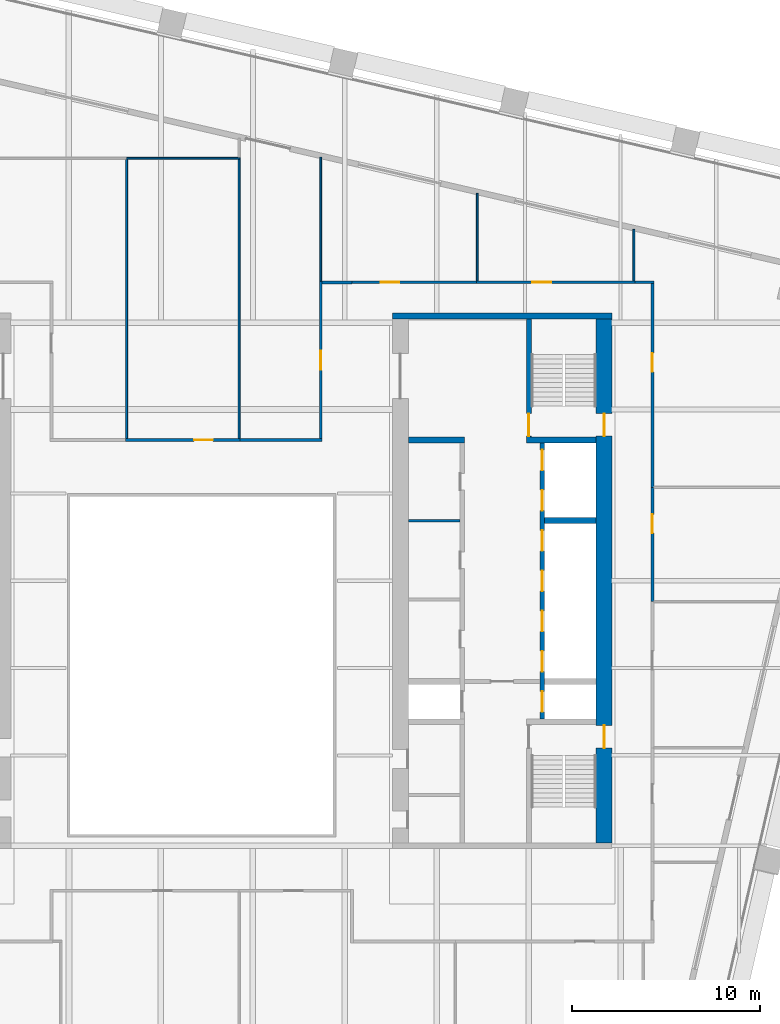
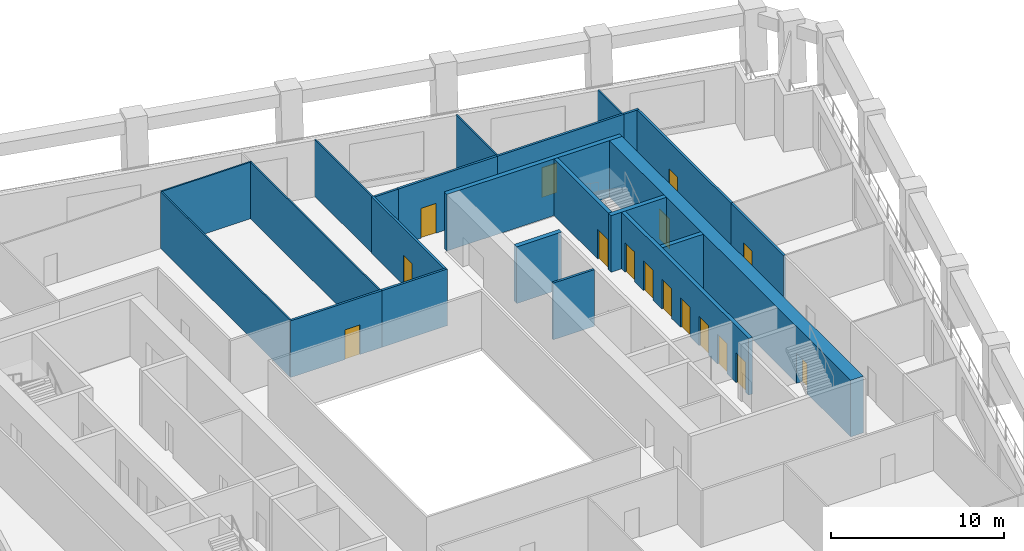
# One storey, part 7 of 9: 23 walls, 16 doors, 16 openings.
"""IFC4 building model written with IfcOpenShell, lengths in metres."""

from ifc_helpers import new_model, si_unit, direction, frame, frame_2d, origin, place, context, subcontext, project, spatial, rectangle, extrude, material, layer, layer_set, type_object, element, fill, save


model = new_model("IFC4")

# Units and contexts
model_context = context("Model", 3, precision=1e-05, world=origin(), true_north=direction((0.0, 1.0)))
body_context = subcontext(model_context, "Body", "Model", "MODEL_VIEW")
ifc_project = project(units=[si_unit("LENGTHUNIT", "METRE"), si_unit("AREAUNIT", "SQUARE_METRE"), si_unit("VOLUMEUNIT", "CUBIC_METRE"), si_unit("PLANEANGLEUNIT", "RADIAN"), si_unit("MASSUNIT", "GRAM", prefix="KILO")], contexts=[model_context])

# Site, building, storey
site_placement = place(None, origin())
site = spatial("IfcSite", under=ifc_project, at=site_placement, CompositionType="ELEMENT")
building_placement = place(site_placement, origin())
building = spatial("IfcBuilding", under=site, at=building_placement, Name="Ogive Exchange Tower", CompositionType="ELEMENT")
storey_placement = place(building_placement, frame((0.0, 0.0, 126.60009765625)))
storey = spatial("IfcBuildingStorey", under=building, at=storey_placement, Name="L27", CompositionType="ELEMENT", Elevation=126.60009765625)

# Walls
ifc_material_1 = material(Name="Gypsum board partition")
ifc_layer_1 = layer(ifc_material_1, 0.14990234375)
ifc_layer_set_1 = layer_set([ifc_layer_1], Name="Core room partition 150 gypsum")
wall_type_1 = type_object("IfcWallType", Name="Core room partition 150 gypsum", PredefinedType="PARTITIONING", material=ifc_layer_set_1)
wall_1_placement = place(storey_placement, frame((11.0, 14.699951171875, 0.0), z_axis=(0.0, 0.0, 1.0), x_axis=(1.0, 0.0, 0.0)))
element("IfcWall", 1, at=wall_1_placement, inside=storey, type_object=wall_type_1, Name="E row B bay partition 1-2", PredefinedType="PARTITIONING", context=body_context, shape_type="SweptSolid", body=[
    extrude(rectangle(XDim=2.75, YDim=0.14990234375, at=frame_2d((1.375, 0.0))), origin(), (0.0, 0.0, 1.0), 4.0),
])
ifc_layer_2 = layer(ifc_material_1, 0.300048828125)
ifc_layer_set_2 = layer_set([ifc_layer_2], Name="Core room partition 300 gypsum")
wall_type_2 = type_object("IfcWallType", Name="Core room partition 300 gypsum", PredefinedType="PARTITIONING", material=ifc_layer_set_2)
wall_2_placement = place(storey_placement, frame((11.0, 19.0, 0.0), z_axis=(0.0, 0.0, 1.0), x_axis=(1.0, 0.0, 0.0)))
element("IfcWall", 2, at=wall_2_placement, inside=storey, type_object=wall_type_2, Name="E row B room end wall 7", PredefinedType="PARTITIONING", context=body_context, shape_type="SweptSolid", body=[
    extrude(rectangle(XDim=3.0, YDim=0.300048828125, at=frame_2d((1.5, 0.0))), origin(), (0.0, 0.0, 1.0), 4.0),
])

# Wall, opening, door
ifc_material_2 = material(Name="Fire partition EI 60 150")
ifc_layer_3 = layer(ifc_material_2, 0.14990234375)
ifc_layer_set_3 = layer_set([ifc_layer_3], Name="Fire partition EI 60 150")
wall_type_3 = type_object("IfcWallType", Name="Fire partition EI 60 150", PredefinedType="PARTITIONING", material=ifc_layer_set_3)
wall_3_placement = place(storey_placement, frame((-4.050048828125, 19.0, 0.0), z_axis=(0.0, 0.0, 1.0), x_axis=(1.0, 0.0, 0.0)))
wall_3 = element("IfcWall", 3, at=wall_3_placement, inside=storey, type_object=wall_type_3, Name="L27-PWL-028", PredefinedType="PARTITIONING", context=body_context, shape_type="SweptSolid", body=[
    extrude(rectangle(XDim=6.090087890625, YDim=0.14990234375, at=frame_2d((3.044921875, 0.0))), origin(), (0.0, 0.0, 1.0), 4.0),
])
opening_1_placement = place(wall_3_placement, frame((3.639892578125, 0.0, 0.0)))
opening_1 = element("IfcOpeningElement", 4, at=opening_1_placement, cuts=wall_3, Name="Opening L27-I11", PredefinedType="OPENING", context=body_context, shape_type="SweptSolid", body=[
    extrude(rectangle(XDim=1.0, YDim=2.10009765625, at=frame_2d((0.5, 1.050048828125))), frame((0.0, 0.0849609375, 0.0), z_axis=(0.0, -1.0, 0.0), x_axis=(1.0, 0.0, 0.0)), (0.0, 0.0, 1.0), 0.169921875),
])
ifc_material_3 = material(Name="Fire door FD 30S 1000 x 2100")
door_type_1 = type_object("IfcDoorType", Name="Fire door FD 30S 1000 x 2100", OperationType="NOTDEFINED", PredefinedType="DOOR", material=ifc_material_3)
door_1_placement = place(opening_1_placement, origin())
door_1 = element("IfcDoor", 5, at=door_1_placement, inside=storey, type_object=door_type_1, Name="L27-IDR-011", ObjectType="DT3", OperationType="SINGLE_SWING_LEFT", OverallHeight=2.10009765625, OverallWidth=1.0, PredefinedType="DOOR", context=body_context, shape_type="SweptSolid", body=[
    extrude(rectangle(XDim=1.0, YDim=2.10009765625, at=frame_2d((0.5, 1.050048828125))), frame((0.0, 0.02490234375, 0.0), z_axis=(0.0, -1.0, 0.0), x_axis=(1.0, 0.0, 0.0)), (0.0, 0.0, 1.0), 0.050048828125),
])
fill(opening_1, door_1)

# Wall
wall_4_placement = place(storey_placement, frame((2.0400390625, 19.0, 0.0), z_axis=(0.0, 0.0, 1.0), x_axis=(1.0, 0.0, 0.0)))
element("IfcWall", 6, at=wall_4_placement, inside=storey, type_object=wall_type_3, Name="L27-PWL-034", PredefinedType="PARTITIONING", context=body_context, shape_type="SweptSolid", body=[
    extrude(rectangle(XDim=4.375, YDim=0.14990234375, at=frame_2d((2.1875, 0.0))), origin(), (0.0, 0.0, 1.0), 4.0),
])

# Wall, opening, door
wall_5_placement = place(storey_placement, frame((6.340087890625, 19.074951171875, 0.0), z_axis=(0.0, 0.0, 1.0), x_axis=(0.0, 1.0, 0.0)))
wall_5 = element("IfcWall", 7, at=wall_5_placement, inside=storey, type_object=wall_type_3, Name="L27-PWL-038", PredefinedType="PARTITIONING", context=body_context, shape_type="SweptSolid", body=[
    extrude(rectangle(XDim=8.39013671875, YDim=0.14990234375, at=frame_2d((4.195068359375, 0.0))), origin(), (0.0, 0.0, 1.0), 4.0),
])
opening_2_placement = place(wall_5_placement, frame((3.6650390625, 0.0, 0.0)))
opening_2 = element("IfcOpeningElement", 8, at=opening_2_placement, cuts=wall_5, Name="Opening L27-I12", PredefinedType="OPENING", context=body_context, shape_type="SweptSolid", body=[
    extrude(rectangle(XDim=1.0, YDim=2.10009765625, at=frame_2d((0.5, 1.050048828125))), frame((0.0, 0.0849609375, 0.0), z_axis=(0.0, -1.0, 0.0), x_axis=(1.0, 0.0, 0.0)), (0.0, 0.0, 1.0), 0.169921875),
])
door_2_placement = place(opening_2_placement, origin())
door_2 = element("IfcDoor", 9, at=door_2_placement, inside=storey, type_object=door_type_1, Name="L27-IDR-012", ObjectType="DT3", OperationType="SINGLE_SWING_RIGHT", OverallHeight=2.10009765625, OverallWidth=1.0, PredefinedType="DOOR", context=body_context, shape_type="SweptSolid", body=[
    extrude(rectangle(XDim=1.0, YDim=2.10009765625, at=frame_2d((0.5, 1.050048828125))), frame((0.0, 0.02490234375, 0.0), z_axis=(0.0, -1.0, 0.0), x_axis=(1.0, 0.0, 0.0)), (0.0, 0.0, 1.0), 0.050048828125),
])
fill(opening_2, door_2)

# Wall
wall_6_placement = place(storey_placement, frame((6.4150390625, 27.389892578125, 0.0), z_axis=(0.0, 0.0, 1.0), x_axis=(1.0, 0.0, 0.0)))
element("IfcWall", 10, at=wall_6_placement, inside=storey, type_object=wall_type_3, Name="L27-PWL-039", PredefinedType="PARTITIONING", context=body_context, shape_type="SweptSolid", body=[
    extrude(rectangle(XDim=1.5849609375, YDim=0.14990234375, at=frame_2d((0.79248046875, 0.0))), origin(), (0.0, 0.0, 1.0), 4.0),
])

# Wall, opening, door
wall_7_placement = place(storey_placement, frame((8.0, 27.39990234375, 0.0), z_axis=(0.0, 0.0, 1.0), x_axis=(1.0, 0.0, 0.0)))
wall_7 = element("IfcWall", 11, at=wall_7_placement, inside=storey, type_object=wall_type_3, Name="L27-PWL-043", PredefinedType="PARTITIONING", context=body_context, shape_type="SweptSolid", body=[
    extrude(rectangle(XDim=6.6201171875, YDim=0.14990234375, at=frame_2d((3.31005859375, 0.0))), origin(), (0.0, 0.0, 1.0), 4.0),
])
opening_3_placement = place(wall_7_placement, frame((1.52001953125, 0.0, 0.0)))
opening_3 = element("IfcOpeningElement", 12, at=opening_3_placement, cuts=wall_7, Name="Opening L27-I15", PredefinedType="OPENING", context=body_context, shape_type="SweptSolid", body=[
    extrude(rectangle(XDim=1.0, YDim=2.10009765625, at=frame_2d((0.5, 1.050048828125))), frame((0.0, 0.0849609375, 0.0), z_axis=(0.0, -1.0, 0.0), x_axis=(1.0, 0.0, 0.0)), (0.0, 0.0, 1.0), 0.169921875),
])
door_3_placement = place(opening_3_placement, origin())
door_3 = element("IfcDoor", 13, at=door_3_placement, inside=storey, type_object=door_type_1, Name="L27-IDR-015", ObjectType="DT3", OperationType="SINGLE_SWING_RIGHT", OverallHeight=2.10009765625, OverallWidth=1.0, PredefinedType="DOOR", context=body_context, shape_type="SweptSolid", body=[
    extrude(rectangle(XDim=1.0, YDim=2.10009765625, at=frame_2d((0.5, 1.050048828125))), frame((0.0, 0.02490234375, 0.0), z_axis=(0.0, -1.0, 0.0), x_axis=(1.0, 0.0, 0.0)), (0.0, 0.0, 1.0), 0.050048828125),
])
fill(opening_3, door_3)

wall_8_placement = place(storey_placement, frame((14.6201171875, 27.39990234375, 0.0), z_axis=(0.0, 0.0, 1.0), x_axis=(1.0, 0.0, 0.0)))
wall_8 = element("IfcWall", 14, at=wall_8_placement, inside=storey, type_object=wall_type_3, Name="L27-PWL-049", PredefinedType="PARTITIONING", context=body_context, shape_type="SweptSolid", body=[
    extrude(rectangle(XDim=8.43994140625, YDim=0.14990234375, at=frame_2d((4.219970703125, 0.0))), origin(), (0.0, 0.0, 1.0), 4.0),
])
opening_4_placement = place(wall_8_placement, frame((2.989990234375, 0.0, 0.0)))
opening_4 = element("IfcOpeningElement", 15, at=opening_4_placement, cuts=wall_8, Name="Opening L27-I16", PredefinedType="OPENING", context=body_context, shape_type="SweptSolid", body=[
    extrude(rectangle(XDim=1.0, YDim=2.10009765625, at=frame_2d((0.5, 1.050048828125))), frame((0.0, 0.0849609375, 0.0), z_axis=(0.0, -1.0, 0.0), x_axis=(1.0, 0.0, 0.0)), (0.0, 0.0, 1.0), 0.169921875),
])
door_4_placement = place(opening_4_placement, origin())
door_4 = element("IfcDoor", 16, at=door_4_placement, inside=storey, type_object=door_type_1, Name="L27-IDR-016", ObjectType="DT3", OperationType="SINGLE_SWING_RIGHT", OverallHeight=2.10009765625, OverallWidth=1.0, PredefinedType="DOOR", context=body_context, shape_type="SweptSolid", body=[
    extrude(rectangle(XDim=1.0, YDim=2.10009765625, at=frame_2d((0.5, 1.050048828125))), frame((0.0, 0.02490234375, 0.0), z_axis=(0.0, -1.0, 0.0), x_axis=(1.0, 0.0, 0.0)), (0.0, 0.0, 1.0), 0.050048828125),
])
fill(opening_4, door_4)

# Wall
wall_9_placement = place(storey_placement, frame((23.06005859375, 27.39990234375, 0.0), z_axis=(0.0, 0.0, 1.0), x_axis=(1.0, 0.0, 0.0)))
element("IfcWall", 17, at=wall_9_placement, inside=storey, type_object=wall_type_3, Name="L27-PWL-051", PredefinedType="PARTITIONING", context=body_context, shape_type="SweptSolid", body=[
    extrude(rectangle(XDim=1.014892578125, YDim=0.14990234375, at=frame_2d((0.50732421875, 0.0))), origin(), (0.0, 0.0, 1.0), 4.0),
])

# Wall, opening, door
wall_10_placement = place(storey_placement, frame((24.0, 16.47998046875, 0.0), z_axis=(0.0, 0.0, 1.0), x_axis=(0.0, -1.0, 0.0)))
wall_10 = element("IfcWall", 18, at=wall_10_placement, inside=storey, type_object=wall_type_3, Name="L27-PWL-063", PredefinedType="PARTITIONING", context=body_context, shape_type="SweptSolid", body=[
    extrude(rectangle(XDim=6.090087890625, YDim=0.14990234375, at=frame_2d((3.044921875, 0.0))), origin(), (0.0, 0.0, 1.0), 4.0),
])
opening_5_placement = place(wall_10_placement, frame((1.43994140625, 0.0, 0.0)))
opening_5 = element("IfcOpeningElement", 19, at=opening_5_placement, cuts=wall_10, Name="Opening L27-I14", PredefinedType="OPENING", context=body_context, shape_type="SweptSolid", body=[
    extrude(rectangle(XDim=1.0, YDim=2.10009765625, at=frame_2d((0.5, 1.050048828125))), frame((0.0, 0.0849609375, 0.0), z_axis=(0.0, -1.0, 0.0), x_axis=(1.0, 0.0, 0.0)), (0.0, 0.0, 1.0), 0.169921875),
])
door_5_placement = place(opening_5_placement, origin())
door_5 = element("IfcDoor", 20, at=door_5_placement, inside=storey, type_object=door_type_1, Name="L27-IDR-014", ObjectType="DT3", OperationType="SINGLE_SWING_RIGHT", OverallHeight=2.10009765625, OverallWidth=1.0, PredefinedType="DOOR", context=body_context, shape_type="SweptSolid", body=[
    extrude(rectangle(XDim=1.0, YDim=2.10009765625, at=frame_2d((0.5, 1.050048828125))), frame((0.0, 0.02490234375, 0.0), z_axis=(0.0, -1.0, 0.0), x_axis=(1.0, 0.0, 0.0)), (0.0, 0.0, 1.0), 0.050048828125),
])
fill(opening_5, door_5)

wall_11_placement = place(storey_placement, frame((24.0, 27.324951171875, 0.0), z_axis=(0.0, 0.0, 1.0), x_axis=(0.0, -1.0, 0.0)))
wall_11 = element("IfcWall", 21, at=wall_11_placement, inside=storey, type_object=wall_type_3, Name="L27-PWL-065", PredefinedType="PARTITIONING", context=body_context, shape_type="SweptSolid", body=[
    extrude(rectangle(XDim=10.844970703125, YDim=0.14990234375, at=frame_2d((5.42236328125, 0.0))), origin(), (0.0, 0.0, 1.0), 4.0),
])
opening_6_placement = place(wall_11_placement, frame((3.695068359375, 0.0, 0.0)))
opening_6 = element("IfcOpeningElement", 22, at=opening_6_placement, cuts=wall_11, Name="Opening L27-I17", PredefinedType="OPENING", context=body_context, shape_type="SweptSolid", body=[
    extrude(rectangle(XDim=1.0, YDim=2.10009765625, at=frame_2d((0.5, 1.050048828125))), frame((0.0, 0.0849609375, 0.0), z_axis=(0.0, -1.0, 0.0), x_axis=(1.0, 0.0, 0.0)), (0.0, 0.0, 1.0), 0.169921875),
])
door_6_placement = place(opening_6_placement, origin())
door_6 = element("IfcDoor", 23, at=door_6_placement, inside=storey, type_object=door_type_1, Name="L27-IDR-017", ObjectType="DT3", OperationType="SINGLE_SWING_RIGHT", OverallHeight=2.10009765625, OverallWidth=1.0, PredefinedType="DOOR", context=body_context, shape_type="SweptSolid", body=[
    extrude(rectangle(XDim=1.0, YDim=2.10009765625, at=frame_2d((0.5, 1.050048828125))), frame((0.0, 0.02490234375, 0.0), z_axis=(0.0, -1.0, 0.0), x_axis=(1.0, 0.0, 0.0)), (0.0, 0.0, 1.0), 0.050048828125),
])
fill(opening_6, door_6)

# Walls
ifc_material_4 = material(Name="Partition 100 gypsum")
ifc_layer_4 = layer(ifc_material_4, 0.10009765625)
ifc_layer_set_4 = layer_set([ifc_layer_4], Name="Partition 100 gypsum")
wall_type_4 = type_object("IfcWallType", Name="Partition 100 gypsum", PredefinedType="PARTITIONING", material=ifc_layer_set_4)
wall_12_placement = place(storey_placement, frame((-4.0, 33.949951171875, 0.0), z_axis=(0.0, 0.0, 1.0), x_axis=(0.0, -1.0, 0.0)))
element("IfcWall", 24, at=wall_12_placement, inside=storey, type_object=wall_type_4, Name="L27-PWL-030", PredefinedType="PARTITIONING", context=body_context, shape_type="SweptSolid", body=[
    extrude(rectangle(XDim=14.875, YDim=0.10009765625, at=frame_2d((7.4375, 0.0))), origin(), (0.0, 0.0, 1.0), 4.0),
])
wall_13_placement = place(storey_placement, frame((2.0400390625, 34.0, 0.0), z_axis=(0.0, 0.0, 1.0), x_axis=(-1.0, 0.0, 0.0)))
element("IfcWall", 25, at=wall_13_placement, inside=storey, type_object=wall_type_4, Name="L27-PWL-035", PredefinedType="PARTITIONING", context=body_context, shape_type="SweptSolid", body=[
    extrude(rectangle(XDim=6.0400390625, YDim=0.10009765625, at=frame_2d((3.02001953125, 0.0))), origin(), (0.0, 0.0, 1.0), 4.0),
])
wall_14_placement = place(storey_placement, frame((1.989990234375, 33.949951171875, 0.0), z_axis=(0.0, 0.0, 1.0), x_axis=(0.0, -1.0, 0.0)))
element("IfcWall", 26, at=wall_14_placement, inside=storey, type_object=wall_type_4, Name="L27-PWL-036", PredefinedType="PARTITIONING", context=body_context, shape_type="SweptSolid", body=[
    extrude(rectangle(XDim=14.875, YDim=0.10009765625, at=frame_2d((7.4375, 0.0))), origin(), (0.0, 0.0, 1.0), 4.0),
])
wall_15_placement = place(storey_placement, frame((6.340087890625, 34.06103515625, 0.0), z_axis=(0.0, 0.0, 1.0), x_axis=(0.0, -1.0, 0.0)))
element("IfcWall", 27, at=wall_15_placement, inside=storey, type_object=wall_type_4, Name="L27-PWL-040", PredefinedType="PARTITIONING", context=body_context, shape_type="SweptSolid", body=[
    extrude(rectangle(XDim=6.595947265625, YDim=0.10009765625, at=frame_2d((3.2978515625, 0.0))), origin(), (0.0, 0.0, 1.0), 4.0),
])
wall_16_placement = place(storey_placement, frame((14.669921875, 32.137939453125, 0.0), z_axis=(0.0, 0.0, 1.0), x_axis=(0.0, -1.0, 0.0)))
element("IfcWall", 28, at=wall_16_placement, inside=storey, type_object=wall_type_4, Name="L27-PWL-050", PredefinedType="PARTITIONING", context=body_context, shape_type="SweptSolid", body=[
    extrude(rectangle(XDim=4.662841796875, YDim=0.10009765625, at=frame_2d((2.33154296875, 0.0))), origin(), (0.0, 0.0, 1.0), 4.0),
])
wall_17_placement = place(storey_placement, frame((23.010009765625, 30.2119140625, 0.0), z_axis=(0.0, 0.0, 1.0), x_axis=(0.0, -1.0, 0.0)))
element("IfcWall", 29, at=wall_17_placement, inside=storey, type_object=wall_type_4, Name="L27-PWL-052", PredefinedType="PARTITIONING", context=body_context, shape_type="SweptSolid", body=[
    extrude(rectangle(XDim=2.73681640625, YDim=0.10009765625, at=frame_2d((1.368408203125, 0.0))), origin(), (0.0, 0.0, 1.0), 4.0),
])

# Wall, opening, door
ifc_material_5 = material(Name="Concrete C70/85", Category="concrete")
ifc_layer_5 = layer(ifc_material_5, 0.25)
ifc_layer_set_5 = layer_set([ifc_layer_5], Name="RC core wall 250 C70/85")
wall_type_5 = type_object("IfcWallType", Name="RC core wall 250 C70/85", PredefinedType="SHEAR", material=ifc_layer_set_5)
wall_18_placement = place(storey_placement, frame((17.425048828125, 19.14990234375, 0.0), z_axis=(0.0, 0.0, 1.0), x_axis=(0.0, 1.0, 0.0)))
wall_18 = element("IfcWall", 30, at=wall_18_placement, inside=storey, type_object=wall_type_5, Name="E stair N front wall", PredefinedType="SHEAR", context=body_context, shape_type="SweptSolid", body=[
    extrude(rectangle(XDim=6.300048828125, YDim=0.25, at=frame_2d((3.14990234375, 0.0))), origin(), (0.0, 0.0, 1.0), 4.0),
])
opening_7_placement = place(wall_18_placement, frame((0.050048828125, 0.0, 0.0)))
opening_7 = element("IfcOpeningElement", 31, at=opening_7_placement, cuts=wall_18, Name="Opening L27-C34", PredefinedType="OPENING", context=body_context, shape_type="SweptSolid", body=[
    extrude(rectangle(XDim=1.199951171875, YDim=2.10009765625, at=frame_2d((0.60009765625, 1.050048828125))), frame((0.0, 0.135009765625, 0.0), z_axis=(0.0, -1.0, 0.0), x_axis=(1.0, 0.0, 0.0)), (0.0, 0.0, 1.0), 0.27001953125),
])
ifc_material_6 = material(Name="Steel fire door", Category="steel")
door_type_2 = type_object("IfcDoorType", Name="Stair door FD90 1200 x 2100", OperationType="NOTDEFINED", PredefinedType="DOOR", material=ifc_material_6)
door_7_placement = place(opening_7_placement, frame((1.199951171875, 0.0, 0.0), z_axis=(0.0, 0.0, 1.0), x_axis=(-1.0, 0.0, 0.0)))
door_7 = element("IfcDoor", 32, at=door_7_placement, inside=storey, type_object=door_type_2, Name="Stair door", ObjectType="CD5", OperationType="SINGLE_SWING_LEFT", OverallHeight=2.10009765625, OverallWidth=1.199951171875, PredefinedType="DOOR", context=body_context, shape_type="SweptSolid", body=[
    extrude(rectangle(XDim=1.199951171875, YDim=2.10009765625, at=frame_2d((0.60009765625, 1.050048828125))), frame((0.0, 0.02490234375, 0.0), z_axis=(0.0, -1.0, 0.0), x_axis=(1.0, 0.0, 0.0)), (0.0, 0.0, 1.0), 0.050048828125),
])
fill(opening_7, door_7)

# Wall, openings, doors
wall_19_placement = place(storey_placement, frame((18.125, 4.14990234375, 0.0), z_axis=(0.0, 0.0, 1.0), x_axis=(0.0, 1.0, 0.0)))
wall_19 = element("IfcWall", 33, at=wall_19_placement, inside=storey, type_object=wall_type_5, Name="E row A front wall", PredefinedType="SHEAR", context=body_context, shape_type="SweptSolid", body=[
    extrude(rectangle(XDim=14.7001953125, YDim=0.25, at=frame_2d((7.35009765625, 0.0))), origin(), (0.0, 0.0, 1.0), 4.0),
])
opening_8_placement = place(wall_19_placement, frame((0.371337890625, 0.0, 0.0)))
opening_8 = element("IfcOpeningElement", 34, at=opening_8_placement, cuts=wall_19, Name="Opening L27-C19", PredefinedType="OPENING", context=body_context, shape_type="SweptSolid", body=[
    extrude(rectangle(XDim=1.10009765625, YDim=2.10009765625, at=frame_2d((0.550048828125, 1.050048828125))), frame((0.0, 0.135009765625, 0.0), z_axis=(0.0, -1.0, 0.0), x_axis=(1.0, 0.0, 0.0)), (0.0, 0.0, 1.0), 0.27001953125),
])
opening_9_placement = place(wall_19_placement, frame((2.514404296875, 0.0, 0.0)))
opening_9 = element("IfcOpeningElement", 35, at=opening_9_placement, cuts=wall_19, Name="Opening L27-C20", PredefinedType="OPENING", context=body_context, shape_type="SweptSolid", body=[
    extrude(rectangle(XDim=1.10009765625, YDim=2.10009765625, at=frame_2d((0.550048828125, 1.050048828125))), frame((0.0, 0.135009765625, 0.0), z_axis=(0.0, -1.0, 0.0), x_axis=(1.0, 0.0, 0.0)), (0.0, 0.0, 1.0), 0.27001953125),
])
opening_10_placement = place(wall_19_placement, frame((4.656982421875, 0.0, 0.0)))
opening_10 = element("IfcOpeningElement", 36, at=opening_10_placement, cuts=wall_19, Name="Opening L27-C21", PredefinedType="OPENING", context=body_context, shape_type="SweptSolid", body=[
    extrude(rectangle(XDim=1.10009765625, YDim=2.10009765625, at=frame_2d((0.550048828125, 1.050048828125))), frame((0.0, 0.135009765625, 0.0), z_axis=(0.0, -1.0, 0.0), x_axis=(1.0, 0.0, 0.0)), (0.0, 0.0, 1.0), 0.27001953125),
])
opening_11_placement = place(wall_19_placement, frame((6.800048828125, 0.0, 0.0)))
opening_11 = element("IfcOpeningElement", 37, at=opening_11_placement, cuts=wall_19, Name="Opening L27-C22", PredefinedType="OPENING", context=body_context, shape_type="SweptSolid", body=[
    extrude(rectangle(XDim=1.10009765625, YDim=2.10009765625, at=frame_2d((0.550048828125, 1.050048828125))), frame((0.0, 0.135009765625, 0.0), z_axis=(0.0, -1.0, 0.0), x_axis=(1.0, 0.0, 0.0)), (0.0, 0.0, 1.0), 0.27001953125),
])
opening_12_placement = place(wall_19_placement, frame((8.94287109375, 0.0, 0.0)))
opening_12 = element("IfcOpeningElement", 38, at=opening_12_placement, cuts=wall_19, Name="Opening L27-C23", PredefinedType="OPENING", context=body_context, shape_type="SweptSolid", body=[
    extrude(rectangle(XDim=1.10009765625, YDim=2.10009765625, at=frame_2d((0.550048828125, 1.050048828125))), frame((0.0, 0.135009765625, 0.0), z_axis=(0.0, -1.0, 0.0), x_axis=(1.0, 0.0, 0.0)), (0.0, 0.0, 1.0), 0.27001953125),
])
opening_13_placement = place(wall_19_placement, frame((11.085693359375, 0.0, 0.0)))
opening_13 = element("IfcOpeningElement", 39, at=opening_13_placement, cuts=wall_19, Name="Opening L27-C24", PredefinedType="OPENING", context=body_context, shape_type="SweptSolid", body=[
    extrude(rectangle(XDim=1.10009765625, YDim=2.10009765625, at=frame_2d((0.550048828125, 1.050048828125))), frame((0.0, 0.135009765625, 0.0), z_axis=(0.0, -1.0, 0.0), x_axis=(1.0, 0.0, 0.0)), (0.0, 0.0, 1.0), 0.27001953125),
])
opening_14_placement = place(wall_19_placement, frame((13.228515625, 0.0, 0.0)))
opening_14 = element("IfcOpeningElement", 40, at=opening_14_placement, cuts=wall_19, Name="Opening L27-C25", PredefinedType="OPENING", context=body_context, shape_type="SweptSolid", body=[
    extrude(rectangle(XDim=1.10009765625, YDim=2.10009765625, at=frame_2d((0.550048828125, 1.050048828125))), frame((0.0, 0.135009765625, 0.0), z_axis=(0.0, -1.0, 0.0), x_axis=(1.0, 0.0, 0.0)), (0.0, 0.0, 1.0), 0.27001953125),
])
ifc_material_7 = material(Name="Stainless steel", Category="steel")
door_type_3 = type_object("IfcDoorType", Name="Lift landing door FD90 1100 x 2100", OperationType="SLIDING_TO_LEFT", PredefinedType="DOOR", material=ifc_material_7)
door_8_placement = place(opening_8_placement, origin())
door_8 = element("IfcDoor", 41, at=door_8_placement, inside=storey, type_object=door_type_3, Name="Lift landing door FF2", ObjectType="LD", OperationType="SLIDING_TO_LEFT", OverallHeight=2.10009765625, OverallWidth=1.10009765625, PredefinedType="DOOR", context=body_context, shape_type="SweptSolid", body=[
    extrude(rectangle(XDim=1.10009765625, YDim=2.10009765625, at=frame_2d((0.550048828125, 1.050048828125))), frame((0.0, 0.02490234375, 0.0), z_axis=(0.0, -1.0, 0.0), x_axis=(1.0, 0.0, 0.0)), (0.0, 0.0, 1.0), 0.050048828125),
])
fill(opening_8, door_8)
door_9_placement = place(opening_9_placement, origin())
door_9 = element("IfcDoor", 42, at=door_9_placement, inside=storey, type_object=door_type_3, Name="Lift landing door E-L1", ObjectType="LD", OperationType="SLIDING_TO_LEFT", OverallHeight=2.10009765625, OverallWidth=1.10009765625, PredefinedType="DOOR", context=body_context, shape_type="SweptSolid", body=[
    extrude(rectangle(XDim=1.10009765625, YDim=2.10009765625, at=frame_2d((0.550048828125, 1.050048828125))), frame((0.0, 0.02490234375, 0.0), z_axis=(0.0, -1.0, 0.0), x_axis=(1.0, 0.0, 0.0)), (0.0, 0.0, 1.0), 0.050048828125),
])
fill(opening_9, door_9)
door_10_placement = place(opening_10_placement, origin())
door_10 = element("IfcDoor", 43, at=door_10_placement, inside=storey, type_object=door_type_3, Name="Lift landing door E-L2", ObjectType="LD", OperationType="SLIDING_TO_LEFT", OverallHeight=2.10009765625, OverallWidth=1.10009765625, PredefinedType="DOOR", context=body_context, shape_type="SweptSolid", body=[
    extrude(rectangle(XDim=1.10009765625, YDim=2.10009765625, at=frame_2d((0.550048828125, 1.050048828125))), frame((0.0, 0.02490234375, 0.0), z_axis=(0.0, -1.0, 0.0), x_axis=(1.0, 0.0, 0.0)), (0.0, 0.0, 1.0), 0.050048828125),
])
fill(opening_10, door_10)
door_11_placement = place(opening_11_placement, origin())
door_11 = element("IfcDoor", 44, at=door_11_placement, inside=storey, type_object=door_type_3, Name="Lift landing door E-L3", ObjectType="LD", OperationType="SLIDING_TO_LEFT", OverallHeight=2.10009765625, OverallWidth=1.10009765625, PredefinedType="DOOR", context=body_context, shape_type="SweptSolid", body=[
    extrude(rectangle(XDim=1.10009765625, YDim=2.10009765625, at=frame_2d((0.550048828125, 1.050048828125))), frame((0.0, 0.02490234375, 0.0), z_axis=(0.0, -1.0, 0.0), x_axis=(1.0, 0.0, 0.0)), (0.0, 0.0, 1.0), 0.050048828125),
])
fill(opening_11, door_11)
door_12_placement = place(opening_12_placement, origin())
door_12 = element("IfcDoor", 45, at=door_12_placement, inside=storey, type_object=door_type_3, Name="Lift landing door E-L4", ObjectType="LD", OperationType="SLIDING_TO_LEFT", OverallHeight=2.10009765625, OverallWidth=1.10009765625, PredefinedType="DOOR", context=body_context, shape_type="SweptSolid", body=[
    extrude(rectangle(XDim=1.10009765625, YDim=2.10009765625, at=frame_2d((0.550048828125, 1.050048828125))), frame((0.0, 0.02490234375, 0.0), z_axis=(0.0, -1.0, 0.0), x_axis=(1.0, 0.0, 0.0)), (0.0, 0.0, 1.0), 0.050048828125),
])
fill(opening_12, door_12)
door_13_placement = place(opening_13_placement, origin())
door_13 = element("IfcDoor", 46, at=door_13_placement, inside=storey, type_object=door_type_3, Name="Lift landing door E-SH1", ObjectType="LD", OperationType="SLIDING_TO_LEFT", OverallHeight=2.10009765625, OverallWidth=1.10009765625, PredefinedType="DOOR", context=body_context, shape_type="SweptSolid", body=[
    extrude(rectangle(XDim=1.10009765625, YDim=2.10009765625, at=frame_2d((0.550048828125, 1.050048828125))), frame((0.0, 0.02490234375, 0.0), z_axis=(0.0, -1.0, 0.0), x_axis=(1.0, 0.0, 0.0)), (0.0, 0.0, 1.0), 0.050048828125),
])
fill(opening_13, door_13)
door_14_placement = place(opening_14_placement, origin())
door_14 = element("IfcDoor", 47, at=door_14_placement, inside=storey, type_object=door_type_3, Name="Lift landing door E-SH2", ObjectType="LD", OperationType="SLIDING_TO_LEFT", OverallHeight=2.10009765625, OverallWidth=1.10009765625, PredefinedType="DOOR", context=body_context, shape_type="SweptSolid", body=[
    extrude(rectangle(XDim=1.10009765625, YDim=2.10009765625, at=frame_2d((0.550048828125, 1.050048828125))), frame((0.0, 0.02490234375, 0.0), z_axis=(0.0, -1.0, 0.0), x_axis=(1.0, 0.0, 0.0)), (0.0, 0.0, 1.0), 0.050048828125),
])
fill(opening_14, door_14)

# Walls
ifc_layer_6 = layer(ifc_material_5, 0.300048828125)
ifc_layer_set_6 = layer_set([ifc_layer_6], Name="RC core wall 300 C70/85")
wall_type_6 = type_object("IfcWallType", Name="RC core wall 300 C70/85", PredefinedType="SHEAR", material=ifc_layer_set_6)
wall_20_placement = place(storey_placement, frame((10.14990234375, 25.60009765625, 0.0), z_axis=(0.0, 0.0, 1.0), x_axis=(1.0, 0.0, 0.0)))
element("IfcWall", 48, at=wall_20_placement, inside=storey, type_object=wall_type_6, Name="E north end wall", PredefinedType="SHEAR", context=body_context, shape_type="SweptSolid", body=[
    extrude(rectangle(XDim=11.7001953125, YDim=0.300048828125, at=frame_2d((5.85009765625, 0.0))), origin(), (0.0, 0.0, 1.0), 4.0),
])
wall_21_placement = place(storey_placement, frame((17.300048828125, 19.0, 0.0), z_axis=(0.0, 0.0, 1.0), x_axis=(1.0, 0.0, 0.0)))
element("IfcWall", 49, at=wall_21_placement, inside=storey, type_object=wall_type_6, Name="E stair N south wall", PredefinedType="SHEAR", context=body_context, shape_type="SweptSolid", body=[
    extrude(rectangle(XDim=3.699951171875, YDim=0.300048828125, at=frame_2d((1.85009765625, 0.0))), origin(), (0.0, 0.0, 1.0), 4.0),
])
wall_22_placement = place(storey_placement, frame((18.25, 14.71435546875, 0.0), z_axis=(0.0, 0.0, 1.0), x_axis=(1.0, 0.0, 0.0)))
element("IfcWall", 50, at=wall_22_placement, inside=storey, type_object=wall_type_6, Name="E row A divider 5", PredefinedType="SHEAR", context=body_context, shape_type="SweptSolid", body=[
    extrude(rectangle(XDim=2.75, YDim=0.300048828125, at=frame_2d((1.375, 0.0))), origin(), (0.0, 0.0, 1.0), 4.0),
])

# Wall, openings, doors
ifc_layer_7 = layer(ifc_material_5, 0.85009765625)
ifc_layer_set_7 = layer_set([ifc_layer_7], Name="RC core wall 850 C70/85")
wall_type_7 = type_object("IfcWallType", Name="RC core wall 850 C70/85", PredefinedType="SHEAR", material=ifc_layer_set_7)
wall_23_placement = place(storey_placement, frame((21.425048828125, -2.449951171875, 0.0), z_axis=(0.0, 0.0, 1.0), x_axis=(0.0, 1.0, 0.0)))
wall_23 = element("IfcWall", 51, at=wall_23_placement, inside=storey, type_object=wall_type_7, Name="E outer wall", PredefinedType="SHEAR", context=body_context, shape_type="SweptSolid", body=[
    extrude(rectangle(XDim=27.89990234375, YDim=0.85009765625, at=frame_2d((13.949951171875, 0.0))), origin(), (0.0, 0.0, 1.0), 4.0),
])
opening_15_placement = place(wall_23_placement, frame((5.050048828125, 0.0, 0.0)))
opening_15 = element("IfcOpeningElement", 52, at=opening_15_placement, cuts=wall_23, Name="Opening L27-C33", PredefinedType="OPENING", context=body_context, shape_type="SweptSolid", body=[
    extrude(rectangle(XDim=1.199951171875, YDim=2.10009765625, at=frame_2d((0.60009765625, 1.050048828125))), frame((0.0, 0.43505859375, 0.0), z_axis=(0.0, -1.0, 0.0), x_axis=(1.0, 0.0, 0.0)), (0.0, 0.0, 1.0), 0.8701171875),
])
opening_16_placement = place(wall_23_placement, frame((21.64990234375, 0.0, 0.0)))
opening_16 = element("IfcOpeningElement", 53, at=opening_16_placement, cuts=wall_23, Name="Opening L27-C35", PredefinedType="OPENING", context=body_context, shape_type="SweptSolid", body=[
    extrude(rectangle(XDim=1.199951171875, YDim=2.10009765625, at=frame_2d((0.60009765625, 1.050048828125))), frame((0.0, 0.43505859375, 0.0), z_axis=(0.0, -1.0, 0.0), x_axis=(1.0, 0.0, 0.0)), (0.0, 0.0, 1.0), 0.8701171875),
])
door_15_placement = place(opening_15_placement, origin())
door_15 = element("IfcDoor", 54, at=door_15_placement, inside=storey, type_object=door_type_2, Name="Stair door", ObjectType="CD5", OperationType="SINGLE_SWING_LEFT", OverallHeight=2.10009765625, OverallWidth=1.199951171875, PredefinedType="DOOR", context=body_context, shape_type="SweptSolid", body=[
    extrude(rectangle(XDim=1.199951171875, YDim=2.10009765625, at=frame_2d((0.60009765625, 1.050048828125))), frame((0.0, 0.02490234375, 0.0), z_axis=(0.0, -1.0, 0.0), x_axis=(1.0, 0.0, 0.0)), (0.0, 0.0, 1.0), 0.050048828125),
])
fill(opening_15, door_15)
door_16_placement = place(opening_16_placement, origin())
door_16 = element("IfcDoor", 55, at=door_16_placement, inside=storey, type_object=door_type_2, Name="Stair door", ObjectType="CD5", OperationType="SINGLE_SWING_RIGHT", OverallHeight=2.10009765625, OverallWidth=1.199951171875, PredefinedType="DOOR", context=body_context, shape_type="SweptSolid", body=[
    extrude(rectangle(XDim=1.199951171875, YDim=2.10009765625, at=frame_2d((0.60009765625, 1.050048828125))), frame((0.0, 0.02490234375, 0.0), z_axis=(0.0, -1.0, 0.0), x_axis=(1.0, 0.0, 0.0)), (0.0, 0.0, 1.0), 0.050048828125),
])
fill(opening_16, door_16)

save(model, "model.ifc")
